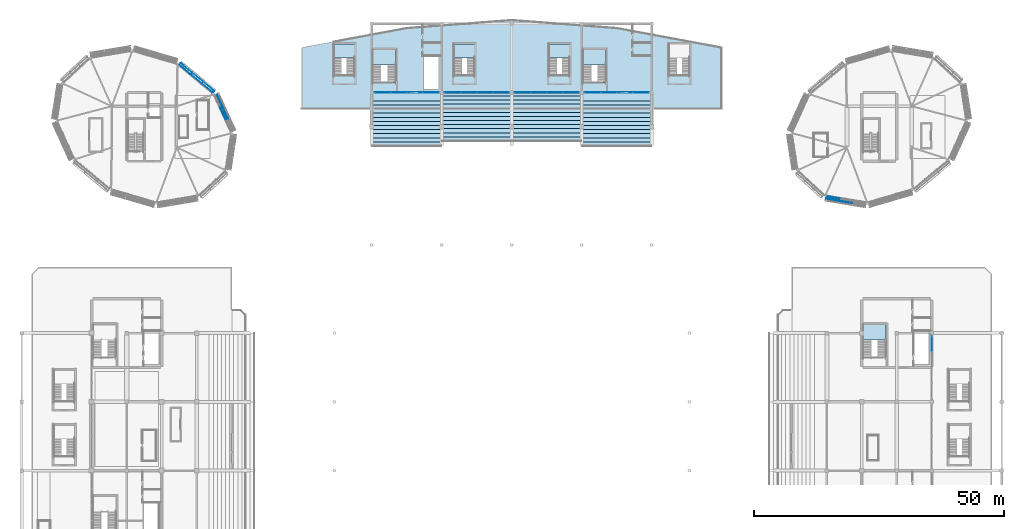
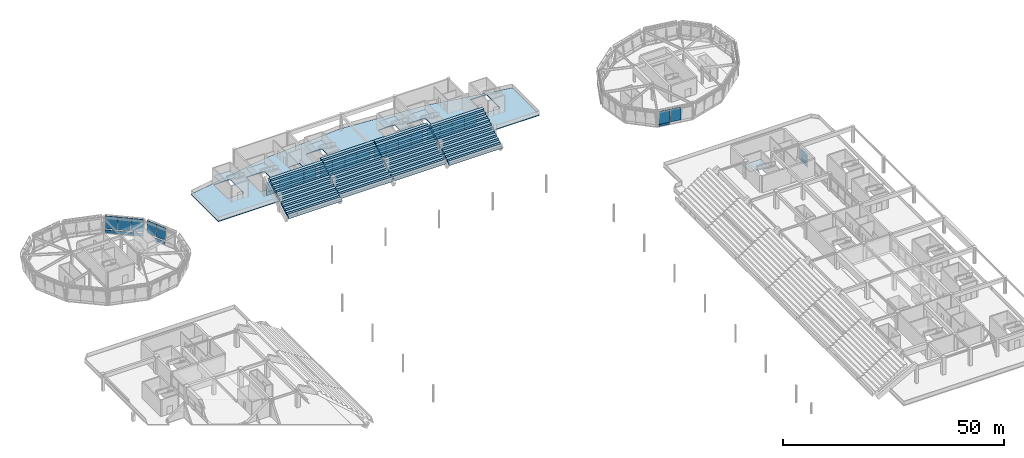
# One storey, part 63 of 94: 46 plates, 11 slabs, 14 elements without a shape of their own.
"""IFC4 building model written with IfcOpenShell, lengths in metres."""

from ifc_helpers import new_model, si_unit, direction, frame, origin, origin_2d, place, context, subcontext, project, spatial, polyline, rectangle, outline, extrude, material, layer, layer_set, type_object, element, aggregate, save


model = new_model("IFC4")

# Units and contexts
model_context = context("Model", 3, precision=1e-05, world=origin(), true_north=direction((0.0, 1.0)))
body_context = subcontext(model_context, "Body", "Model", "MODEL_VIEW")
ifc_project = project(units=[si_unit("LENGTHUNIT", "METRE"), si_unit("AREAUNIT", "SQUARE_METRE"), si_unit("VOLUMEUNIT", "CUBIC_METRE"), si_unit("PLANEANGLEUNIT", "RADIAN"), si_unit("MASSUNIT", "GRAM", prefix="KILO")], contexts=[model_context])

# Site, building, storey
site_placement = place(None, origin())
site = spatial("IfcSite", under=ifc_project, at=site_placement, CompositionType="ELEMENT")
building_placement = place(site_placement, origin())
building = spatial("IfcBuilding", under=site, at=building_placement, Name="Linyun Crest Stadium", CompositionType="ELEMENT")
storey_placement = place(building_placement, frame((0.0, 0.0, 16.199951171875)))
storey = spatial("IfcBuildingStorey", under=building, at=storey_placement, Name="L04", CompositionType="ELEMENT", Elevation=16.199951171875)

# Slab
ifc_material_1 = material(Name="Concrete C40", Category="concrete")
ifc_layer_1 = layer(ifc_material_1, 0.199951171875)
ifc_layer_set_1 = layer_set([ifc_layer_1], Name="Concrete C40")
slab_type_1 = type_object("IfcSlabType", Name="FS02", PredefinedType="FLOOR", material=ifc_layer_set_1)
slab_1_placement = place(storey_placement, frame((0.0, 0.0, -0.199951171875)))
element("IfcSlab", 1, at=slab_1_placement, inside=storey, type_object=slab_type_1, Name="Slab FS02 V3 L04 35", PredefinedType="FLOOR", context=body_context, shape_type="SweptSolid", body=[
    extrude(outline(polyline([(-42.0, 88.199951171875), (42.0, 88.199951171875), (42.0, 100.5), (21.0, 104.39990234375), (0.0, 106.0), (-21.0, 104.39990234375), (-42.0, 100.5), (-42.0, 88.199951171875)]), holes=[polyline([(-27.824951171875, 93.52001953125), (-27.824951171875, 100.10009765625), (-23.10009765625, 100.10009765625), (-23.10009765625, 93.52001953125), (-27.824951171875, 93.52001953125)]), polyline([(-17.60009765625, 92.14990234375), (-17.60009765625, 98.75), (-14.60009765625, 98.75), (-14.60009765625, 92.14990234375), (-17.60009765625, 92.14990234375)]), polyline([(14.199951171875, 93.52001953125), (14.199951171875, 100.10009765625), (18.89990234375, 100.10009765625), (18.89990234375, 93.52001953125), (14.199951171875, 93.52001953125)]), polyline([(-35.60009765625, 94.949951171875), (-35.60009765625, 101.199951171875), (-31.39990234375, 101.199951171875), (-31.39990234375, 94.949951171875), (-35.60009765625, 94.949951171875)]), polyline([(-11.60009765625, 94.949951171875), (-11.60009765625, 101.199951171875), (-7.39990234375, 101.199951171875), (-7.39990234375, 94.949951171875), (-11.60009765625, 94.949951171875)]), polyline([(7.39990234375, 94.949951171875), (7.39990234375, 101.199951171875), (11.60009765625, 101.199951171875), (11.60009765625, 94.949951171875), (7.39990234375, 94.949951171875)]), polyline([(31.39990234375, 94.949951171875), (31.39990234375, 101.199951171875), (35.60009765625, 101.199951171875), (35.60009765625, 94.949951171875), (31.39990234375, 94.949951171875)])]), origin(), (0.0, 0.0, 1.0), 0.199951171875),
])

# Curtain wall, plates
ifc_material_2 = material(Name="Verdigris steel and low-E curtain wall assembly", Category="steel")
curtain_wall_type_1 = type_object("IfcCurtainWallType", Name="MCW01", PredefinedType="NOTDEFINED", material=ifc_material_2)
curtain_wall_1_placement = place(storey_placement, origin())
curtain_wall_1 = element("IfcCurtainWall", 2, at=curtain_wall_1_placement, inside=storey, type_object=curtain_wall_type_1, Name="CWR-129", PredefinedType="NOTDEFINED")
ifc_material_3 = material(Name="Double silver low-E insulated glass", Category="glass")
ifc_layer_2 = layer(ifc_material_3, 0.02587890625)
ifc_layer_set_2 = layer_set([ifc_layer_2], Name="Double silver low-E insulated glass")
plate_type_1 = type_object("IfcPlateType", Name="GP01", PredefinedType="CURTAIN_PANEL", material=ifc_layer_set_2)
plate_1_placement = place(storey_placement, frame((-25.837890625, 91.5, 0.92529296875), z_axis=(0.0, 0.0, 1.0), x_axis=(1.0, 0.0, 0.0)))
plate_1 = element("IfcPlate", 3, at=plate_1_placement, type_object=plate_type_1, Name="CWR-129 panel 1.2", PredefinedType="CURTAIN_PANEL", context=body_context, shape_type="SweptSolid", body=[
    extrude(rectangle(XDim=3.175048828125, YDim=0.02587890625, at=origin_2d()), origin(), (0.0, 0.0, 1.0), 2.699951171875),
])
plate_2_placement = place(storey_placement, frame((-22.612060546875, 91.5, 0.92529296875), z_axis=(0.0, 0.0, 1.0), x_axis=(1.0, 0.0, 0.0)))
plate_2 = element("IfcPlate", 4, at=plate_2_placement, type_object=plate_type_1, Name="CWR-129 panel 2.2", PredefinedType="CURTAIN_PANEL", context=body_context, shape_type="SweptSolid", body=[
    extrude(rectangle(XDim=3.175048828125, YDim=0.02587890625, at=origin_2d()), origin(), (0.0, 0.0, 1.0), 2.699951171875),
])
plate_3_placement = place(storey_placement, frame((-19.387939453125, 91.5, 0.92529296875), z_axis=(0.0, 0.0, 1.0), x_axis=(1.0, 0.0, 0.0)))
plate_3 = element("IfcPlate", 5, at=plate_3_placement, type_object=plate_type_1, Name="CWR-129 panel 3.2", PredefinedType="CURTAIN_PANEL", context=body_context, shape_type="SweptSolid", body=[
    extrude(rectangle(XDim=3.175048828125, YDim=0.02587890625, at=origin_2d()), origin(), (0.0, 0.0, 1.0), 2.699951171875),
])
plate_4_placement = place(storey_placement, frame((-16.1630859375, 91.5, 0.92529296875), z_axis=(0.0, 0.0, 1.0), x_axis=(1.0, 0.0, 0.0)))
plate_4 = element("IfcPlate", 6, at=plate_4_placement, type_object=plate_type_1, Name="CWR-129 panel 4.2", PredefinedType="CURTAIN_PANEL", context=body_context, shape_type="SweptSolid", body=[
    extrude(rectangle(XDim=3.175048828125, YDim=0.02587890625, at=origin_2d()), origin(), (0.0, 0.0, 1.0), 2.699951171875),
])

curtain_wall_2_placement = place(storey_placement, origin())
curtain_wall_2 = element("IfcCurtainWall", 7, at=curtain_wall_2_placement, inside=storey, type_object=curtain_wall_type_1, Name="CWR-136", PredefinedType="NOTDEFINED")
plate_5_placement = place(storey_placement, frame((-11.8369140625, 91.5, 0.92529296875), z_axis=(0.0, 0.0, 1.0), x_axis=(1.0, 0.0, 0.0)))
plate_5 = element("IfcPlate", 8, at=plate_5_placement, type_object=plate_type_1, Name="CWR-136 panel 1.2", PredefinedType="CURTAIN_PANEL", context=body_context, shape_type="SweptSolid", body=[
    extrude(rectangle(XDim=3.175048828125, YDim=0.02587890625, at=origin_2d()), origin(), (0.0, 0.0, 1.0), 2.699951171875),
])
plate_6_placement = place(storey_placement, frame((-8.612060546875, 91.5, 0.92529296875), z_axis=(0.0, 0.0, 1.0), x_axis=(1.0, 0.0, 0.0)))
plate_6 = element("IfcPlate", 9, at=plate_6_placement, type_object=plate_type_1, Name="CWR-136 panel 2.2", PredefinedType="CURTAIN_PANEL", context=body_context, shape_type="SweptSolid", body=[
    extrude(rectangle(XDim=3.175048828125, YDim=0.02587890625, at=origin_2d()), origin(), (0.0, 0.0, 1.0), 2.699951171875),
])
plate_7_placement = place(storey_placement, frame((-5.386962890625, 91.5, 0.92529296875), z_axis=(0.0, 0.0, 1.0), x_axis=(1.0, 0.0, 0.0)))
plate_7 = element("IfcPlate", 10, at=plate_7_placement, type_object=plate_type_1, Name="CWR-136 panel 3.2", PredefinedType="CURTAIN_PANEL", context=body_context, shape_type="SweptSolid", body=[
    extrude(rectangle(XDim=3.175048828125, YDim=0.02587890625, at=origin_2d()), origin(), (0.0, 0.0, 1.0), 2.699951171875),
])
plate_8_placement = place(storey_placement, frame((-2.1630859375, 91.5, 0.92529296875), z_axis=(0.0, 0.0, 1.0), x_axis=(1.0, 0.0, 0.0)))
plate_8 = element("IfcPlate", 11, at=plate_8_placement, type_object=plate_type_1, Name="CWR-136 panel 4.2", PredefinedType="CURTAIN_PANEL", context=body_context, shape_type="SweptSolid", body=[
    extrude(rectangle(XDim=3.175048828125, YDim=0.02587890625, at=origin_2d()), origin(), (0.0, 0.0, 1.0), 2.699951171875),
])

curtain_wall_3_placement = place(storey_placement, origin())
curtain_wall_3 = element("IfcCurtainWall", 12, at=curtain_wall_3_placement, inside=storey, type_object=curtain_wall_type_1, Name="CWR-143", PredefinedType="NOTDEFINED")
plate_9_placement = place(storey_placement, frame((2.162109375, 91.5, 0.92529296875), z_axis=(0.0, 0.0, 1.0), x_axis=(1.0, 0.0, 0.0)))
plate_9 = element("IfcPlate", 13, at=plate_9_placement, type_object=plate_type_1, Name="CWR-143 panel 1.2", PredefinedType="CURTAIN_PANEL", context=body_context, shape_type="SweptSolid", body=[
    extrude(rectangle(XDim=3.175048828125, YDim=0.02587890625, at=origin_2d()), origin(), (0.0, 0.0, 1.0), 2.699951171875),
])
plate_10_placement = place(storey_placement, frame((5.386962890625, 91.5, 0.92529296875), z_axis=(0.0, 0.0, 1.0), x_axis=(1.0, 0.0, 0.0)))
plate_10 = element("IfcPlate", 14, at=plate_10_placement, type_object=plate_type_1, Name="CWR-143 panel 2.2", PredefinedType="CURTAIN_PANEL", context=body_context, shape_type="SweptSolid", body=[
    extrude(rectangle(XDim=3.175048828125, YDim=0.02587890625, at=origin_2d()), origin(), (0.0, 0.0, 1.0), 2.699951171875),
])
plate_11_placement = place(storey_placement, frame((8.612060546875, 91.5, 0.92529296875), z_axis=(0.0, 0.0, 1.0), x_axis=(1.0, 0.0, 0.0)))
plate_11 = element("IfcPlate", 15, at=plate_11_placement, type_object=plate_type_1, Name="CWR-143 panel 3.2", PredefinedType="CURTAIN_PANEL", context=body_context, shape_type="SweptSolid", body=[
    extrude(rectangle(XDim=3.175048828125, YDim=0.02587890625, at=origin_2d()), origin(), (0.0, 0.0, 1.0), 2.699951171875),
])
plate_12_placement = place(storey_placement, frame((11.8369140625, 91.5, 0.92529296875), z_axis=(0.0, 0.0, 1.0), x_axis=(1.0, 0.0, 0.0)))
plate_12 = element("IfcPlate", 16, at=plate_12_placement, type_object=plate_type_1, Name="CWR-143 panel 4.2", PredefinedType="CURTAIN_PANEL", context=body_context, shape_type="SweptSolid", body=[
    extrude(rectangle(XDim=3.175048828125, YDim=0.02587890625, at=origin_2d()), origin(), (0.0, 0.0, 1.0), 2.699951171875),
])

curtain_wall_4_placement = place(storey_placement, origin())
curtain_wall_4 = element("IfcCurtainWall", 17, at=curtain_wall_4_placement, inside=storey, type_object=curtain_wall_type_1, Name="CWR-150", PredefinedType="NOTDEFINED")
plate_13_placement = place(storey_placement, frame((16.1630859375, 91.5, 0.92529296875), z_axis=(0.0, 0.0, 1.0), x_axis=(1.0, 0.0, 0.0)))
plate_13 = element("IfcPlate", 18, at=plate_13_placement, type_object=plate_type_1, Name="CWR-150 panel 1.2", PredefinedType="CURTAIN_PANEL", context=body_context, shape_type="SweptSolid", body=[
    extrude(rectangle(XDim=3.175048828125, YDim=0.02587890625, at=origin_2d()), origin(), (0.0, 0.0, 1.0), 2.699951171875),
])
plate_14_placement = place(storey_placement, frame((19.387939453125, 91.5, 0.92529296875), z_axis=(0.0, 0.0, 1.0), x_axis=(1.0, 0.0, 0.0)))
plate_14 = element("IfcPlate", 19, at=plate_14_placement, type_object=plate_type_1, Name="CWR-150 panel 2.2", PredefinedType="CURTAIN_PANEL", context=body_context, shape_type="SweptSolid", body=[
    extrude(rectangle(XDim=3.175048828125, YDim=0.02587890625, at=origin_2d()), origin(), (0.0, 0.0, 1.0), 2.699951171875),
])
plate_15_placement = place(storey_placement, frame((22.612060546875, 91.5, 0.92529296875), z_axis=(0.0, 0.0, 1.0), x_axis=(1.0, 0.0, 0.0)))
plate_15 = element("IfcPlate", 20, at=plate_15_placement, type_object=plate_type_1, Name="CWR-150 panel 3.2", PredefinedType="CURTAIN_PANEL", context=body_context, shape_type="SweptSolid", body=[
    extrude(rectangle(XDim=3.175048828125, YDim=0.02587890625, at=origin_2d()), origin(), (0.0, 0.0, 1.0), 2.699951171875),
])
plate_16_placement = place(storey_placement, frame((25.837890625, 91.5, 0.92529296875), z_axis=(0.0, 0.0, 1.0), x_axis=(1.0, 0.0, 0.0)))
plate_16 = element("IfcPlate", 21, at=plate_16_placement, type_object=plate_type_1, Name="CWR-150 panel 4.2", PredefinedType="CURTAIN_PANEL", context=body_context, shape_type="SweptSolid", body=[
    extrude(rectangle(XDim=3.175048828125, YDim=0.02587890625, at=origin_2d()), origin(), (0.0, 0.0, 1.0), 2.699951171875),
])

ifc_material_4 = material(Name="Verdigris steel and low-E curtain wall assembly", Category="steel")
curtain_wall_type_2 = type_object("IfcCurtainWallType", Name="MCW04", PredefinedType="NOTDEFINED", material=ifc_material_4)
curtain_wall_5_placement = place(storey_placement, origin())
curtain_wall_5 = element("IfcCurtainWall", 22, at=curtain_wall_5_placement, inside=storey, type_object=curtain_wall_type_2, Name="CWR-002", PredefinedType="NOTDEFINED")
ifc_material_5 = material(Name="Acoustic laminated low-E broadcast glass", Category="glass")
ifc_layer_3 = layer(ifc_material_5, 0.030029296875)
ifc_layer_set_3 = layer_set([ifc_layer_3], Name="Acoustic laminated low-E broadcast glass")
plate_type_2 = type_object("IfcPlateType", Name="GP02", PredefinedType="CURTAIN_PANEL", material=ifc_layer_set_3)
plate_17_placement = place(storey_placement, frame((-57.2939453125, 87.48193359375, 0.888427734375), z_axis=(0.0, 0.0, 1.0), x_axis=(-0.414566184052, 0.910019164106, 0.0)))
plate_17 = element("IfcPlate", 23, at=plate_17_placement, type_object=plate_type_2, Name="CWR-002 panel 2.2", PredefinedType="CURTAIN_PANEL", context=body_context, shape_type="SweptSolid", body=[
    extrude(rectangle(XDim=2.595458984375, YDim=0.030029296875, at=origin_2d()), origin(), (0.0, 0.0, 1.0), 3.5830078125),
])
plate_18_placement = place(storey_placement, frame((-58.389892578125, 89.888916015625, 0.888427734375), z_axis=(0.0, 0.0, 1.0), x_axis=(-0.414566184052, 0.910019164106, 0.0)))
plate_18 = element("IfcPlate", 24, at=plate_18_placement, type_object=plate_type_2, Name="CWR-002 panel 3.2", PredefinedType="CURTAIN_PANEL", context=body_context, shape_type="SweptSolid", body=[
    extrude(rectangle(XDim=2.595458984375, YDim=0.030029296875, at=origin_2d()), origin(), (0.0, 0.0, 1.0), 3.5830078125),
])

curtain_wall_6_placement = place(storey_placement, origin())
curtain_wall_6 = element("IfcCurtainWall", 25, at=curtain_wall_6_placement, inside=storey, type_object=curtain_wall_type_2, Name="CWR-003", PredefinedType="NOTDEFINED")
plate_19_placement = place(storey_placement, frame((-60.577880859375, 92.69091796875, 0.888427734375), z_axis=(0.0, 0.0, 1.0), x_axis=(-0.77024617165, 0.637746685651, 0.0)))
plate_19 = element("IfcPlate", 26, at=plate_19_placement, type_object=plate_type_2, Name="CWR-003 panel 1.2", PredefinedType="CURTAIN_PANEL", context=body_context, shape_type="SweptSolid", body=[
    extrude(rectangle(XDim=2.8984375, YDim=0.030029296875, at=origin_2d()), origin(), (0.0, 0.0, 1.0), 3.5830078125),
])
plate_20_placement = place(storey_placement, frame((-62.84912109375, 94.571044921875, 0.888427734375), z_axis=(0.0, 0.0, 1.0), x_axis=(-0.77024617165, 0.637746685651, 0.0)))
plate_20 = element("IfcPlate", 27, at=plate_20_placement, type_object=plate_type_2, Name="CWR-003 panel 2.2", PredefinedType="CURTAIN_PANEL", context=body_context, shape_type="SweptSolid", body=[
    extrude(rectangle(XDim=2.8984375, YDim=0.030029296875, at=origin_2d()), origin(), (0.0, 0.0, 1.0), 3.5830078125),
])
plate_21_placement = place(storey_placement, frame((-65.1201171875, 96.451904296875, 0.888427734375), z_axis=(0.0, 0.0, 1.0), x_axis=(-0.77024617165, 0.637746685651, 0.0)))
plate_21 = element("IfcPlate", 28, at=plate_21_placement, type_object=plate_type_2, Name="CWR-003 panel 3.2", PredefinedType="CURTAIN_PANEL", context=body_context, shape_type="SweptSolid", body=[
    extrude(rectangle(XDim=2.8984375, YDim=0.030029296875, at=origin_2d()), origin(), (0.0, 0.0, 1.0), 3.5830078125),
])

curtain_wall_7_placement = place(storey_placement, origin())
curtain_wall_7 = element("IfcCurtainWall", 29, at=curtain_wall_7_placement, inside=storey, type_object=curtain_wall_type_2, Name="CWR-044", PredefinedType="NOTDEFINED")
plate_22_placement = place(storey_placement, frame((64.197021484375, 70.028076171875, 0.888427734375), z_axis=(0.0, 0.0, 1.0), x_axis=(0.986282720763, -0.165064819767, 0.0)))
plate_22 = element("IfcPlate", 30, at=plate_22_placement, type_object=plate_type_2, Name="CWR-044 panel 1.2", PredefinedType="CURTAIN_PANEL", context=body_context, shape_type="SweptSolid", body=[
    extrude(rectangle(XDim=2.59521484375, YDim=0.030029296875, at=origin_2d()), origin(), (0.0, 0.0, 1.0), 3.5830078125),
])
plate_23_placement = place(storey_placement, frame((66.805908203125, 69.591064453125, 0.888427734375), z_axis=(0.0, 0.0, 1.0), x_axis=(0.986282720763, -0.165064819767, 0.0)))
plate_23 = element("IfcPlate", 31, at=plate_23_placement, type_object=plate_type_2, Name="CWR-044 panel 2.2", PredefinedType="CURTAIN_PANEL", context=body_context, shape_type="SweptSolid", body=[
    extrude(rectangle(XDim=2.59521484375, YDim=0.030029296875, at=origin_2d()), origin(), (0.0, 0.0, 1.0), 3.5830078125),
])

# Curtain wall, plate
ifc_material_6 = material(Name="Verdigris steel and low-E curtain wall assembly", Category="steel")
curtain_wall_type_3 = type_object("IfcCurtainWallType", Name="MCW06", PredefinedType="NOTDEFINED", material=ifc_material_6)
curtain_wall_8_placement = place(storey_placement, origin())
curtain_wall_8 = element("IfcCurtainWall", 32, at=curtain_wall_8_placement, inside=storey, type_object=curtain_wall_type_3, Name="CWR-125", PredefinedType="NOTDEFINED")
plate_24_placement = place(storey_placement, frame((84.0, 41.243896484375, 1.02490234375), z_axis=(0.0, 0.0, 1.0), x_axis=(0.0, 1.0, 0.0)))
plate_24 = element("IfcPlate", 33, at=plate_24_placement, type_object=plate_type_2, Name="CWR-125 panel 4.2", PredefinedType="CURTAIN_PANEL", context=body_context, shape_type="SweptSolid", body=[
    extrude(rectangle(XDim=3.112548828125, YDim=0.030029296875, at=origin_2d()), origin(), (0.0, 0.0, 1.0), 2.60009765625),
])

# Stair, slab
ifc_material_7 = material(Name="Concrete C40", Category="concrete")
stair_type = type_object("IfcStairType", Name="STA03", PredefinedType="HALF_TURN_STAIR", material=ifc_material_7)
stair_1_placement = place(storey_placement, origin())
stair_1 = element("IfcStair", 34, at=stair_1_placement, inside=storey, type_object=stair_type, Name="Evacuation stair STR-06-L04", PredefinedType="HALF_TURN_STAIR")
ifc_material_8 = material(Name="Concrete C40", Category="concrete")
ifc_layer_4 = layer(ifc_material_8, 0.179931640625)
ifc_layer_set_4 = layer_set([ifc_layer_4], Name="Concrete C40")
slab_type_2 = type_object("IfcSlabType", Name="LS01", PredefinedType="LANDING", material=ifc_layer_set_4)
slab_2_placement = place(storey_placement, frame((0.0, 0.0, 2.219970703125)))
slab_2 = element("IfcSlab", 35, at=slab_2_placement, type_object=slab_type_2, Name="STR-06-L04 half-landing", PredefinedType="LANDING", context=body_context, shape_type="SweptSolid", body=[
    extrude(outline(polyline([(70.22509765625, 41.989990234375), (74.89990234375, 41.989990234375), (74.89990234375, 45.10009765625), (70.22509765625, 45.10009765625), (70.22509765625, 41.989990234375)])), origin(), (0.0, 0.0, 1.0), 0.18017578125),
])
aggregate(stair_1, [slab_2])

stair_2_placement = place(storey_placement, origin())
stair_2 = element("IfcStair", 36, at=stair_2_placement, inside=storey, type_object=stair_type, Name="Evacuation stair STR-07-L04", PredefinedType="HALF_TURN_STAIR")
slab_3_placement = place(storey_placement, frame((0.0, 0.0, 2.219970703125)))
slab_3 = element("IfcSlab", 37, at=slab_3_placement, type_object=slab_type_2, Name="STR-07-L04 half-landing", PredefinedType="LANDING", context=body_context, shape_type="SweptSolid", body=[
    extrude(outline(polyline([(-27.824951171875, 96.989990234375), (-23.10009765625, 96.989990234375), (-23.10009765625, 100.10009765625), (-27.824951171875, 100.10009765625), (-27.824951171875, 96.989990234375)])), origin(), (0.0, 0.0, 1.0), 0.18017578125),
])
aggregate(stair_2, [slab_3])

stair_3_placement = place(storey_placement, origin())
stair_3 = element("IfcStair", 38, at=stair_3_placement, inside=storey, type_object=stair_type, Name="Evacuation stair STR-08-L04", PredefinedType="HALF_TURN_STAIR")
slab_4_placement = place(storey_placement, frame((0.0, 0.0, 2.219970703125)))
slab_4 = element("IfcSlab", 39, at=slab_4_placement, type_object=slab_type_2, Name="STR-08-L04 half-landing", PredefinedType="LANDING", context=body_context, shape_type="SweptSolid", body=[
    extrude(outline(polyline([(14.199951171875, 96.989990234375), (18.89990234375, 96.989990234375), (18.89990234375, 100.10009765625), (14.199951171875, 100.10009765625), (14.199951171875, 96.989990234375)])), origin(), (0.0, 0.0, 1.0), 0.18017578125),
])
aggregate(stair_3, [slab_4])

stair_4_placement = place(storey_placement, origin())
stair_4 = element("IfcStair", 40, at=stair_4_placement, inside=storey, type_object=stair_type, Name="Vomitory evacuation stair STR-23-L04", PredefinedType="HALF_TURN_STAIR")
slab_5_placement = place(storey_placement, frame((0.0, 0.0, 2.219970703125)))
slab_5 = element("IfcSlab", 41, at=slab_5_placement, type_object=slab_type_2, Name="STR-23-L04 half-landing", PredefinedType="LANDING", context=body_context, shape_type="SweptSolid", body=[
    extrude(outline(polyline([(-35.60009765625, 98.419921875), (-31.39990234375, 98.419921875), (-31.39990234375, 101.199951171875), (-35.60009765625, 101.199951171875), (-35.60009765625, 98.419921875)])), origin(), (0.0, 0.0, 1.0), 0.18017578125),
])
aggregate(stair_4, [slab_5])

stair_5_placement = place(storey_placement, origin())
stair_5 = element("IfcStair", 42, at=stair_5_placement, inside=storey, type_object=stair_type, Name="Vomitory evacuation stair STR-24-L04", PredefinedType="HALF_TURN_STAIR")
slab_6_placement = place(storey_placement, frame((0.0, 0.0, 2.219970703125)))
slab_6 = element("IfcSlab", 43, at=slab_6_placement, type_object=slab_type_2, Name="STR-24-L04 half-landing", PredefinedType="LANDING", context=body_context, shape_type="SweptSolid", body=[
    extrude(outline(polyline([(-11.60009765625, 98.419921875), (-7.39990234375, 98.419921875), (-7.39990234375, 101.199951171875), (-11.60009765625, 101.199951171875), (-11.60009765625, 98.419921875)])), origin(), (0.0, 0.0, 1.0), 0.18017578125),
])
aggregate(stair_5, [slab_6])

stair_6_placement = place(storey_placement, origin())
stair_6 = element("IfcStair", 44, at=stair_6_placement, inside=storey, type_object=stair_type, Name="Vomitory evacuation stair STR-25-L04", PredefinedType="HALF_TURN_STAIR")
slab_7_placement = place(storey_placement, frame((0.0, 0.0, 2.219970703125)))
slab_7 = element("IfcSlab", 45, at=slab_7_placement, type_object=slab_type_2, Name="STR-25-L04 half-landing", PredefinedType="LANDING", context=body_context, shape_type="SweptSolid", body=[
    extrude(outline(polyline([(7.39990234375, 98.419921875), (11.60009765625, 98.419921875), (11.60009765625, 101.199951171875), (7.39990234375, 101.199951171875), (7.39990234375, 98.419921875)])), origin(), (0.0, 0.0, 1.0), 0.18017578125),
])
aggregate(stair_6, [slab_7])

# Plate
ifc_material_9 = material(Name="Celadon glazed ceramic faience insulated spandrel")
ifc_layer_5 = layer(ifc_material_9, 0.0419921875)
ifc_layer_set_5 = layer_set([ifc_layer_5], Name="Celadon glazed ceramic faience insulated spandrel")
plate_type_3 = type_object("IfcPlateType", Name="SP01", PredefinedType="SHEET", material=ifc_layer_set_5)
plate_25_placement = place(storey_placement, frame((-25.837890625, 91.5, 0.02490234375), z_axis=(0.0, 0.0, 1.0), x_axis=(1.0, 0.0, 0.0)))
plate_25 = element("IfcPlate", 46, at=plate_25_placement, type_object=plate_type_3, Name="CWR-129 panel 1.1", PredefinedType="SHEET", context=body_context, shape_type="SweptSolid", body=[
    extrude(rectangle(XDim=3.175048828125, YDim=0.0419921875, at=origin_2d()), origin(), (0.0, 0.0, 1.0), 0.85009765625),
])

plate_26_placement = place(storey_placement, frame((-22.612060546875, 91.5, 0.02490234375), z_axis=(0.0, 0.0, 1.0), x_axis=(1.0, 0.0, 0.0)))
plate_26 = element("IfcPlate", 47, at=plate_26_placement, type_object=plate_type_3, Name="CWR-129 panel 2.1", PredefinedType="SHEET", context=body_context, shape_type="SweptSolid", body=[
    extrude(rectangle(XDim=3.175048828125, YDim=0.0419921875, at=origin_2d()), origin(), (0.0, 0.0, 1.0), 0.85009765625),
])

plate_27_placement = place(storey_placement, frame((-19.387939453125, 91.5, 0.02490234375), z_axis=(0.0, 0.0, 1.0), x_axis=(1.0, 0.0, 0.0)))
plate_27 = element("IfcPlate", 48, at=plate_27_placement, type_object=plate_type_3, Name="CWR-129 panel 3.1", PredefinedType="SHEET", context=body_context, shape_type="SweptSolid", body=[
    extrude(rectangle(XDim=3.175048828125, YDim=0.0419921875, at=origin_2d()), origin(), (0.0, 0.0, 1.0), 0.85009765625),
])

plate_28_placement = place(storey_placement, frame((-16.1630859375, 91.5, 0.02490234375), z_axis=(0.0, 0.0, 1.0), x_axis=(1.0, 0.0, 0.0)))
plate_28 = element("IfcPlate", 49, at=plate_28_placement, type_object=plate_type_3, Name="CWR-129 panel 4.1", PredefinedType="SHEET", context=body_context, shape_type="SweptSolid", body=[
    extrude(rectangle(XDim=3.175048828125, YDim=0.0419921875, at=origin_2d()), origin(), (0.0, 0.0, 1.0), 0.85009765625),
])

aggregate(curtain_wall_1, [plate_25, plate_1, plate_26, plate_2, plate_27, plate_3, plate_28, plate_4])

plate_29_placement = place(storey_placement, frame((-11.8369140625, 91.5, 0.02490234375), z_axis=(0.0, 0.0, 1.0), x_axis=(1.0, 0.0, 0.0)))
plate_29 = element("IfcPlate", 50, at=plate_29_placement, type_object=plate_type_3, Name="CWR-136 panel 1.1", PredefinedType="SHEET", context=body_context, shape_type="SweptSolid", body=[
    extrude(rectangle(XDim=3.175048828125, YDim=0.0419921875, at=origin_2d()), origin(), (0.0, 0.0, 1.0), 0.85009765625),
])

plate_30_placement = place(storey_placement, frame((-8.612060546875, 91.5, 0.02490234375), z_axis=(0.0, 0.0, 1.0), x_axis=(1.0, 0.0, 0.0)))
plate_30 = element("IfcPlate", 51, at=plate_30_placement, type_object=plate_type_3, Name="CWR-136 panel 2.1", PredefinedType="SHEET", context=body_context, shape_type="SweptSolid", body=[
    extrude(rectangle(XDim=3.175048828125, YDim=0.0419921875, at=origin_2d()), origin(), (0.0, 0.0, 1.0), 0.85009765625),
])

plate_31_placement = place(storey_placement, frame((-5.386962890625, 91.5, 0.02490234375), z_axis=(0.0, 0.0, 1.0), x_axis=(1.0, 0.0, 0.0)))
plate_31 = element("IfcPlate", 52, at=plate_31_placement, type_object=plate_type_3, Name="CWR-136 panel 3.1", PredefinedType="SHEET", context=body_context, shape_type="SweptSolid", body=[
    extrude(rectangle(XDim=3.175048828125, YDim=0.0419921875, at=origin_2d()), origin(), (0.0, 0.0, 1.0), 0.85009765625),
])

plate_32_placement = place(storey_placement, frame((-2.1630859375, 91.5, 0.02490234375), z_axis=(0.0, 0.0, 1.0), x_axis=(1.0, 0.0, 0.0)))
plate_32 = element("IfcPlate", 53, at=plate_32_placement, type_object=plate_type_3, Name="CWR-136 panel 4.1", PredefinedType="SHEET", context=body_context, shape_type="SweptSolid", body=[
    extrude(rectangle(XDim=3.175048828125, YDim=0.0419921875, at=origin_2d()), origin(), (0.0, 0.0, 1.0), 0.85009765625),
])

aggregate(curtain_wall_2, [plate_29, plate_5, plate_30, plate_6, plate_31, plate_7, plate_32, plate_8])

plate_33_placement = place(storey_placement, frame((2.162109375, 91.5, 0.02490234375), z_axis=(0.0, 0.0, 1.0), x_axis=(1.0, 0.0, 0.0)))
plate_33 = element("IfcPlate", 54, at=plate_33_placement, type_object=plate_type_3, Name="CWR-143 panel 1.1", PredefinedType="SHEET", context=body_context, shape_type="SweptSolid", body=[
    extrude(rectangle(XDim=3.175048828125, YDim=0.0419921875, at=origin_2d()), origin(), (0.0, 0.0, 1.0), 0.85009765625),
])

plate_34_placement = place(storey_placement, frame((5.386962890625, 91.5, 0.02490234375), z_axis=(0.0, 0.0, 1.0), x_axis=(1.0, 0.0, 0.0)))
plate_34 = element("IfcPlate", 55, at=plate_34_placement, type_object=plate_type_3, Name="CWR-143 panel 2.1", PredefinedType="SHEET", context=body_context, shape_type="SweptSolid", body=[
    extrude(rectangle(XDim=3.175048828125, YDim=0.0419921875, at=origin_2d()), origin(), (0.0, 0.0, 1.0), 0.85009765625),
])

plate_35_placement = place(storey_placement, frame((8.612060546875, 91.5, 0.02490234375), z_axis=(0.0, 0.0, 1.0), x_axis=(1.0, 0.0, 0.0)))
plate_35 = element("IfcPlate", 56, at=plate_35_placement, type_object=plate_type_3, Name="CWR-143 panel 3.1", PredefinedType="SHEET", context=body_context, shape_type="SweptSolid", body=[
    extrude(rectangle(XDim=3.175048828125, YDim=0.0419921875, at=origin_2d()), origin(), (0.0, 0.0, 1.0), 0.85009765625),
])

plate_36_placement = place(storey_placement, frame((11.8369140625, 91.5, 0.02490234375), z_axis=(0.0, 0.0, 1.0), x_axis=(1.0, 0.0, 0.0)))
plate_36 = element("IfcPlate", 57, at=plate_36_placement, type_object=plate_type_3, Name="CWR-143 panel 4.1", PredefinedType="SHEET", context=body_context, shape_type="SweptSolid", body=[
    extrude(rectangle(XDim=3.175048828125, YDim=0.0419921875, at=origin_2d()), origin(), (0.0, 0.0, 1.0), 0.85009765625),
])

aggregate(curtain_wall_3, [plate_33, plate_9, plate_34, plate_10, plate_35, plate_11, plate_36, plate_12])

plate_37_placement = place(storey_placement, frame((16.1630859375, 91.5, 0.02490234375), z_axis=(0.0, 0.0, 1.0), x_axis=(1.0, 0.0, 0.0)))
plate_37 = element("IfcPlate", 58, at=plate_37_placement, type_object=plate_type_3, Name="CWR-150 panel 1.1", PredefinedType="SHEET", context=body_context, shape_type="SweptSolid", body=[
    extrude(rectangle(XDim=3.175048828125, YDim=0.0419921875, at=origin_2d()), origin(), (0.0, 0.0, 1.0), 0.85009765625),
])

plate_38_placement = place(storey_placement, frame((19.387939453125, 91.5, 0.02490234375), z_axis=(0.0, 0.0, 1.0), x_axis=(1.0, 0.0, 0.0)))
plate_38 = element("IfcPlate", 59, at=plate_38_placement, type_object=plate_type_3, Name="CWR-150 panel 2.1", PredefinedType="SHEET", context=body_context, shape_type="SweptSolid", body=[
    extrude(rectangle(XDim=3.175048828125, YDim=0.0419921875, at=origin_2d()), origin(), (0.0, 0.0, 1.0), 0.85009765625),
])

plate_39_placement = place(storey_placement, frame((22.612060546875, 91.5, 0.02490234375), z_axis=(0.0, 0.0, 1.0), x_axis=(1.0, 0.0, 0.0)))
plate_39 = element("IfcPlate", 60, at=plate_39_placement, type_object=plate_type_3, Name="CWR-150 panel 3.1", PredefinedType="SHEET", context=body_context, shape_type="SweptSolid", body=[
    extrude(rectangle(XDim=3.175048828125, YDim=0.0419921875, at=origin_2d()), origin(), (0.0, 0.0, 1.0), 0.85009765625),
])

plate_40_placement = place(storey_placement, frame((25.837890625, 91.5, 0.02490234375), z_axis=(0.0, 0.0, 1.0), x_axis=(1.0, 0.0, 0.0)))
plate_40 = element("IfcPlate", 61, at=plate_40_placement, type_object=plate_type_3, Name="CWR-150 panel 4.1", PredefinedType="SHEET", context=body_context, shape_type="SweptSolid", body=[
    extrude(rectangle(XDim=3.175048828125, YDim=0.0419921875, at=origin_2d()), origin(), (0.0, 0.0, 1.0), 0.85009765625),
])

aggregate(curtain_wall_4, [plate_37, plate_13, plate_38, plate_14, plate_39, plate_15, plate_40, plate_16])

ifc_material_10 = material(Name="Warm ochre glazed ceramic faience spandrel")
ifc_layer_6 = layer(ifc_material_10, 0.048095703125)
ifc_layer_set_6 = layer_set([ifc_layer_6], Name="Warm ochre glazed ceramic faience spandrel")
plate_type_4 = type_object("IfcPlateType", Name="SP02", PredefinedType="SHEET", material=ifc_layer_set_6)
plate_41_placement = place(storey_placement, frame((84.0, 41.243896484375, 0.02490234375), z_axis=(0.0, 0.0, 1.0), x_axis=(0.0, 1.0, 0.0)))
plate_41 = element("IfcPlate", 62, at=plate_41_placement, type_object=plate_type_4, Name="CWR-125 panel 4.1", PredefinedType="SHEET", context=body_context, shape_type="SweptSolid", body=[
    extrude(rectangle(XDim=3.112548828125, YDim=0.048095703125, at=origin_2d()), origin(), (0.0, 0.0, 1.0), 0.949951171875),
])

aggregate(curtain_wall_8, [plate_41, plate_24])

ifc_material_11 = material(Name="Verdigris enamelled metal insulated spandrel")
ifc_layer_7 = layer(ifc_material_11, 0.053955078125)
ifc_layer_set_7 = layer_set([ifc_layer_7], Name="Verdigris enamelled metal insulated spandrel")
plate_type_5 = type_object("IfcPlateType", Name="SP03", PredefinedType="SHEET", material=ifc_layer_set_7)
plate_42_placement = place(storey_placement, frame((-57.70703125, 87.2939453125, 0.015625), z_axis=(0.0, 0.0, 1.0), x_axis=(-0.414566184052, 0.910019164106, 0.0)))
plate_42 = element("IfcPlate", 63, at=plate_42_placement, type_object=plate_type_5, Name="CWR-002 panel 2.1", PredefinedType="SHEET", context=body_context, shape_type="SweptSolid", body=[
    extrude(rectangle(XDim=2.595458984375, YDim=0.053955078125, at=origin_2d()), origin(), (0.0, 0.0, 1.0), 0.868408203125),
])

aggregate(curtain_wall_5, [plate_42, plate_17, plate_18])

plate_43_placement = place(storey_placement, frame((-60.866943359375, 92.342041015625, 0.015625), z_axis=(0.0, 0.0, 1.0), x_axis=(-0.77024617165, 0.637746685651, 0.0)))
plate_43 = element("IfcPlate", 64, at=plate_43_placement, type_object=plate_type_5, Name="CWR-003 panel 1.1", PredefinedType="SHEET", context=body_context, shape_type="SweptSolid", body=[
    extrude(rectangle(XDim=2.8984375, YDim=0.053955078125, at=origin_2d()), origin(), (0.0, 0.0, 1.0), 0.868408203125),
])

plate_44_placement = place(storey_placement, frame((-63.137939453125, 94.221923828125, 0.015625), z_axis=(0.0, 0.0, 1.0), x_axis=(-0.77024617165, 0.637746685651, 0.0)))
plate_44 = element("IfcPlate", 65, at=plate_44_placement, type_object=plate_type_5, Name="CWR-003 panel 2.1", PredefinedType="SHEET", context=body_context, shape_type="SweptSolid", body=[
    extrude(rectangle(XDim=2.8984375, YDim=0.053955078125, at=origin_2d()), origin(), (0.0, 0.0, 1.0), 0.868408203125),
])

plate_45_placement = place(storey_placement, frame((-65.408935546875, 96.10205078125, 0.015625), z_axis=(0.0, 0.0, 1.0), x_axis=(-0.77024617165, 0.637746685651, 0.0)))
plate_45 = element("IfcPlate", 66, at=plate_45_placement, type_object=plate_type_5, Name="CWR-003 panel 3.1", PredefinedType="SHEET", context=body_context, shape_type="SweptSolid", body=[
    extrude(rectangle(XDim=2.8984375, YDim=0.053955078125, at=origin_2d()), origin(), (0.0, 0.0, 1.0), 0.868408203125),
])

aggregate(curtain_wall_6, [plate_43, plate_19, plate_44, plate_20, plate_45, plate_21])

plate_46_placement = place(storey_placement, frame((64.27197265625, 70.47509765625, 0.015625), z_axis=(0.0, 0.0, 1.0), x_axis=(0.986282720763, -0.165064819767, 0.0)))
plate_46 = element("IfcPlate", 67, at=plate_46_placement, type_object=plate_type_5, Name="CWR-044 panel 1.1", PredefinedType="SHEET", context=body_context, shape_type="SweptSolid", body=[
    extrude(rectangle(XDim=2.59521484375, YDim=0.053955078125, at=origin_2d()), origin(), (0.0, 0.0, 1.0), 0.868408203125),
])

aggregate(curtain_wall_7, [plate_46, plate_22, plate_23])

# Slabs
ifc_material_12 = material(Name="Precast concrete C50", Category="concrete")
ifc_layer_8 = layer(ifc_material_12, 0.199951171875)
ifc_layer_set_8 = layer_set([ifc_layer_8], Name="Precast concrete C50")
slab_type_3 = type_object("IfcSlabType", Name="ST04", PredefinedType="USERDEFINED", material=ifc_layer_set_8)
for number, where, z_axis, x_axis, name in (
    (68, (-27.919921875, 80.800048828125, 0.35009765625), (0.0, 0.0, 1.0), (0.0, 1.0, 0.0), "Precast seating tier ST04 V3 59"),
    (69, (-13.919921875, 81.800048828125, 0.35009765625), (0.0, 0.0, 1.0), (0.0, 1.0, 0.0), "Precast seating tier ST04 V3 66"),
    (70, (0.080078125, 81.800048828125, 0.35009765625), (0.0, 0.0, 1.0), (0.0, 1.0, 0.0), "Precast seating tier ST04 V3 73"),
    (71, (14.080078125, 80.800048828125, 0.35009765625), (0.0, 0.0, 1.0), (0.0, 1.0, 0.0), "Precast seating tier ST04 V3 80"),
):
    element("IfcSlab", number, at=place(storey_placement, frame(where, z_axis=z_axis, x_axis=x_axis)), inside=storey, type_object=slab_type_3, Name=name, ObjectType="SEATING TIER", PredefinedType="USERDEFINED", context=body_context, shape_type="SweptSolid", body=[
        extrude(outline(polyline([(0.0, 0.0), (0.0, 0.52001953125), (0.820068359375, 0.52001953125), (0.820068359375, 1.0400390625), (1.639892578125, 1.0400390625), (1.639892578125, 1.56005859375), (2.4599609375, 1.56005859375), (2.4599609375, 2.080078125), (3.280029296875, 2.080078125), (3.280029296875, 2.60009765625), (4.10009765625, 2.60009765625), (4.10009765625, 3.1201171875), (4.919921875, 3.1201171875), (4.919921875, 3.639892578125), (5.739990234375, 3.639892578125), (5.739990234375, 4.159912109375), (6.56005859375, 4.159912109375), (6.56005859375, 4.679931640625), (7.3798828125, 4.679931640625), (7.3798828125, 5.199951171875), (8.199951171875, 5.199951171875), (8.199951171875, 5.719970703125), (9.02001953125, 5.719970703125), (9.02001953125, 5.0), (0.0, -0.199951171875), (0.0, 0.0)])), frame((0.0, 0.0, 0.0), z_axis=(0.0, -1.0, 0.0), x_axis=(1.0, 0.0, 0.0)), (0.0, 0.0, 1.0), 13.83984375),
    ])

save(model, "model.ifc")
